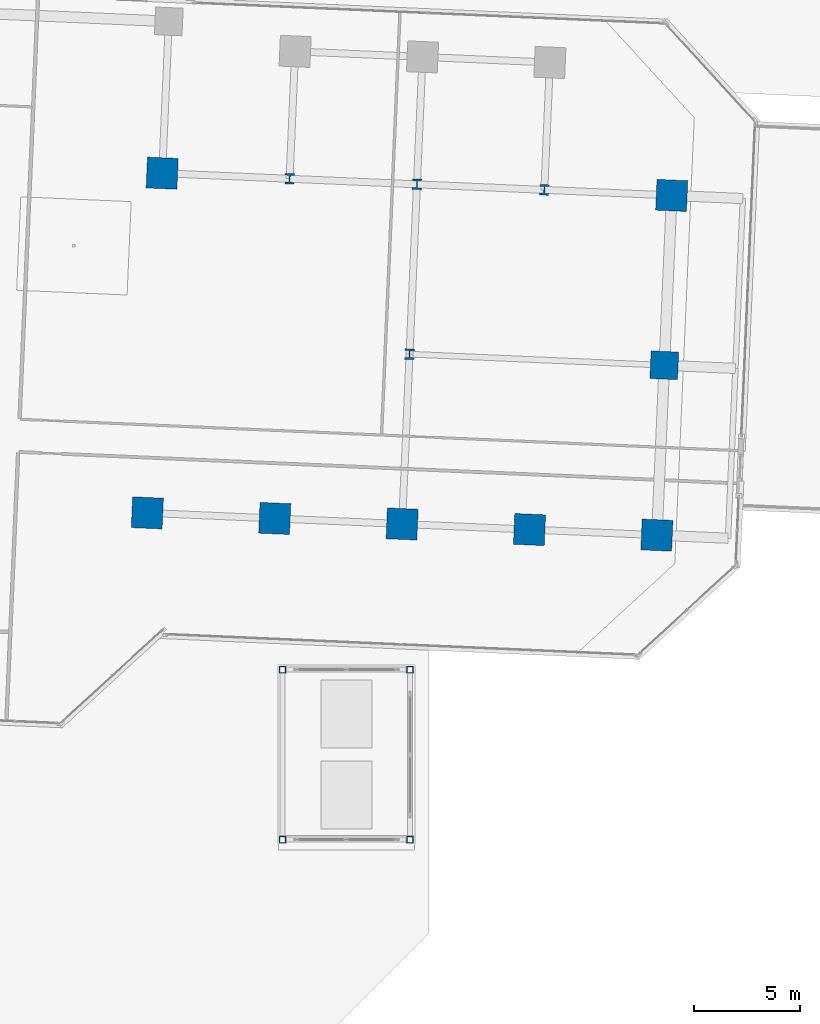
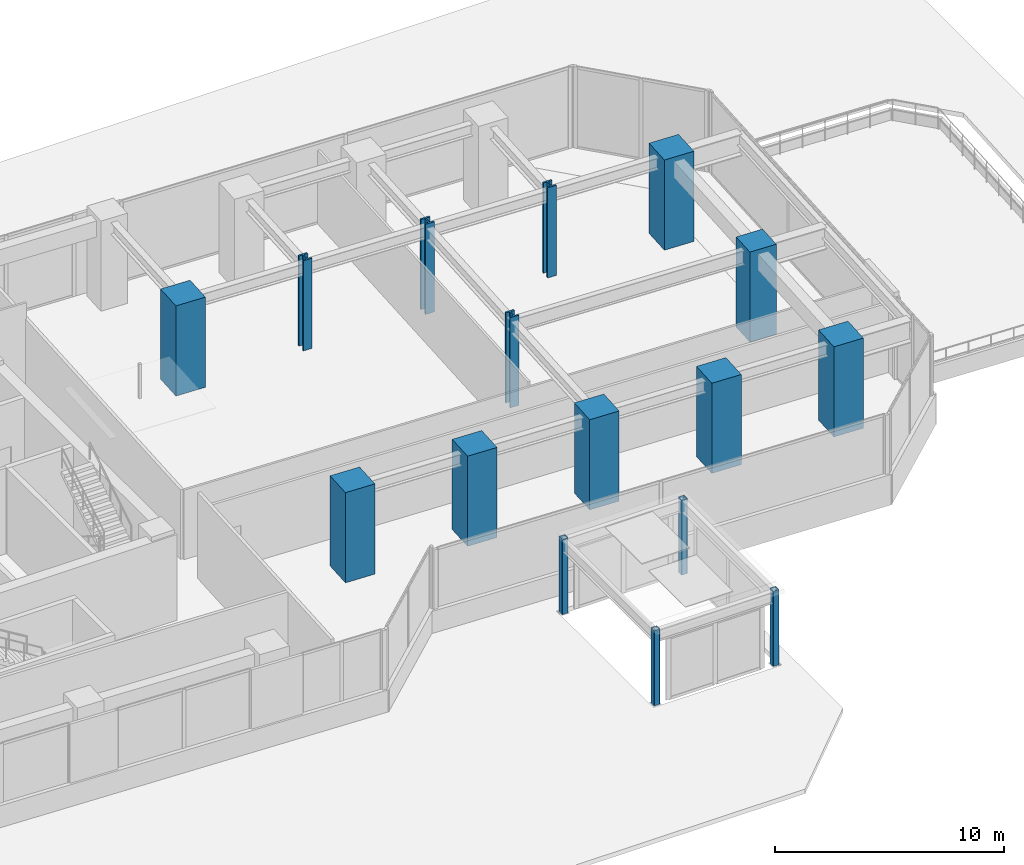
# One storey, part 2 of 33: 16 columns.
"""IFC4 building model written with IfcOpenShell, lengths in metres."""

from ifc_helpers import new_model, si_unit, direction, frame, origin, origin_2d, place, context, subcontext, project, spatial, rectangle, hollow_rectangle, i_section, extrude, source, transform, mapped, material, material_profile, profile_set, type_object, element, save


model = new_model("IFC4")

# Units and contexts
model_context = context("Model", 3, precision=1e-05, world=origin(), true_north=direction((0.0, 1.0)))
body_context = subcontext(model_context, "Body", "Model", "MODEL_VIEW")
ifc_project = project(units=[si_unit("LENGTHUNIT", "METRE"), si_unit("AREAUNIT", "SQUARE_METRE"), si_unit("VOLUMEUNIT", "CUBIC_METRE"), si_unit("PLANEANGLEUNIT", "RADIAN"), si_unit("MASSUNIT", "GRAM", prefix="KILO")], contexts=[model_context])

# Site, building, storey
site_placement = place(None, origin())
site = spatial("IfcSite", under=ifc_project, at=site_placement, CompositionType="ELEMENT")
building_placement = place(site_placement, origin())
building = spatial("IfcBuilding", under=site, at=building_placement, Name="Torre Montelarca", CompositionType="ELEMENT")
storey_placement = place(building_placement, frame((0.0, 0.0, 32.800048828125)))
storey = spatial("IfcBuildingStorey", under=building, at=storey_placement, Name="L07", CompositionType="ELEMENT", Elevation=32.800048828125)

# Columns
ifc_material_1 = material(Name="Concrete C70/85", Category="concrete")
ifc_material_profile_1 = material_profile(ifc_material_1, rectangle(XDim=1.449951171875, YDim=1.449951171875, at=origin_2d()), Name="RC1450X1450", Category="concrete")
ifc_profile_set_1 = profile_set([ifc_material_profile_1], Name="Concrete C70/85")
column_type_1 = type_object("IfcColumnType", Name="COL-RC1450-EXT", PredefinedType="COLUMN", material=ifc_profile_set_1)
shared_shape_1 = source(origin(), body_context, "Body", "SweptSolid", [
    extrude(rectangle(XDim=1.449951171875, YDim=1.449951171875, at=origin_2d()), origin(), (0.0, 0.0, 1.0), 4.798583984375),
])
for number, where, z_axis, x_axis, name in (
    (1, (59.614501953125, 22.328369140625, 0.000732421875), (0.0, 0.0, 1.0), (-0.999048221582, 0.043619387365, 0.0), "L07 Perimeter Mega Column 9/D"),
    (2, (60.312255859375, 38.31298828125, 0.000732421875), (0.0, 0.0, 1.0), (-0.999048221582, 0.043619387365, 0.0), "L07 Perimeter Mega Column 9/F"),
):
    element("IfcColumn", number, at=place(storey_placement, frame(where, z_axis=z_axis, x_axis=x_axis)), inside=storey, type_object=column_type_1, Name=name, PredefinedType="COLUMN", context=body_context, shape_type="MappedRepresentation", body=[
        mapped(shared_shape_1, transform((0.0, 0.0, 0.0), scale=1.0)),
    ])
ifc_material_profile_2 = material_profile(ifc_material_1, rectangle(XDim=1.449951171875, YDim=1.449951171875, at=origin_2d()), Name="RC1450X1450", Category="concrete")
ifc_profile_set_2 = profile_set([ifc_material_profile_2], Name="Concrete C70/85")
column_type_2 = type_object("IfcColumnType", Name="COL-RC1450", PredefinedType="COLUMN", material=ifc_profile_set_2)
shared_shape_2 = source(origin(), body_context, "Body", "SweptSolid", [
    extrude(rectangle(XDim=1.449951171875, YDim=1.449951171875, at=origin_2d()), origin(), (0.0, 0.0, 1.0), 4.798583984375),
])
for number, where, z_axis, x_axis, name in (
    (3, (35.63720703125, 23.375, 0.000732421875), (0.0, 0.0, 1.0), (-0.999048221582, 0.043619387365, 0.0), "L07 Column 5/D"),
    (4, (36.335205078125, 39.35986328125, 0.000732421875), (0.0, 0.0, 1.0), (-0.999048221582, 0.043619387365, 0.0), "L07 Column 5/F"),
    (5, (41.631591796875, 23.11328125, 0.000732421875), (0.0, 0.0, 1.0), (-0.999048221582, 0.043619387365, 0.0), "L07 Column 6/D"),
    (6, (47.625732421875, 22.851806640625, 0.000732421875), (0.0, 0.0, 1.0), (-0.999048221582, 0.043619387365, 0.0), "L07 Column 7/D"),
    (7, (53.6201171875, 22.590087890625, 0.000732421875), (0.0, 0.0, 1.0), (-0.999048221582, 0.043619387365, 0.0), "L07 Column 8/D"),
):
    element("IfcColumn", number, at=place(storey_placement, frame(where, z_axis=z_axis, x_axis=x_axis)), inside=storey, type_object=column_type_2, Name=name, PredefinedType="COLUMN", context=body_context, shape_type="MappedRepresentation", body=[
        mapped(shared_shape_2, transform((0.0, 0.0, 0.0), scale=1.0)),
    ])
ifc_material_profile_3 = material_profile(ifc_material_1, rectangle(XDim=1.300048828125, YDim=1.300048828125, at=origin_2d()), Name="RC1300X1300", Category="concrete")
ifc_profile_set_3 = profile_set([ifc_material_profile_3], Name="Concrete C70/85")
column_type_3 = type_object("IfcColumnType", Name="COL-RC1300-EXT", PredefinedType="COLUMN", material=ifc_profile_set_3)
shared_shape_3 = source(origin(), body_context, "Body", "SweptSolid", [
    extrude(rectangle(XDim=1.300048828125, YDim=1.300048828125, at=origin_2d()), origin(), (0.0, 0.0, 1.0), 4.798583984375),
])
column_placement = place(storey_placement, frame((59.96337890625, 30.32080078125, 0.000732421875), z_axis=(0.0, 0.0, 1.0), x_axis=(-0.999048221582, 0.043619387365, 0.0)))
element("IfcColumn", 8, at=column_placement, inside=storey, type_object=column_type_3, Name="L07 Column 9/E", PredefinedType="COLUMN", context=body_context, shape_type="MappedRepresentation", body=[
    mapped(shared_shape_3, transform((0.0, 0.0, 0.0), scale=1.0)),
])
ifc_material_2 = material(Name="Steel ASTM A992 Grade 50", Category="steel")
ifc_material_profile_4 = material_profile(ifc_material_2, i_section(OverallWidth=0.431884765625, OverallDepth=0.498046875, WebThickness=0.0556640625, FlangeThickness=0.0888671875, FilletRadius=0.014892578125, at=origin_2d()), Name="W360X744", Category="steel")
ifc_profile_set_4 = profile_set([ifc_material_profile_4], Name="Steel ASTM A992 Grade 50")
column_type_4 = type_object("IfcColumnType", Name="COL-W360X744", PredefinedType="COLUMN", material=ifc_profile_set_4)
shared_shape_4 = source(origin(), body_context, "Body", "SweptSolid", [
    extrude(i_section(OverallWidth=0.431884765625, OverallDepth=0.498046875, WebThickness=0.0556640625, FlangeThickness=0.0888671875, FilletRadius=0.014892578125, at=origin_2d()), origin(), (0.0, 0.0, 1.0), 4.798583984375),
])
for number, where, z_axis, x_axis, name in (
    (9, (42.329345703125, 39.09814453125, 0.000732421875), (0.0, 0.0, 1.0), (-0.999048221582, 0.043619387365, 0.0), "L07 Column 6/F"),
    (10, (47.974853515625, 30.843994140625, 0.000732421875), (0.0, 0.0, 1.0), (-0.999048221582, 0.043619387365, 0.0), "L07 Column 7/E"),
    (11, (48.32373046875, 38.83642578125, 0.000732421875), (0.0, 0.0, 1.0), (-0.999048221582, 0.043619387365, 0.0), "L07 Column 7/F"),
    (12, (54.318115234375, 38.57470703125, 0.000732421875), (0.0, 0.0, 1.0), (-0.999048221582, 0.043619387365, 0.0), "L07 Column 8/F"),
):
    element("IfcColumn", number, at=place(storey_placement, frame(where, z_axis=z_axis, x_axis=x_axis)), inside=storey, type_object=column_type_4, Name=name, PredefinedType="COLUMN", context=body_context, shape_type="MappedRepresentation", body=[
        mapped(shared_shape_4, transform((0.0, 0.0, 0.0), scale=1.0)),
    ])
ifc_material_3 = material(Name="Steel ASTM A500 Grade C", Category="steel")
ifc_material_profile_5 = material_profile(ifc_material_3, hollow_rectangle(XDim=0.3046875, YDim=0.3046875, WallThickness=0.015869140625, InnerFilletRadius=0.015869140625, OuterFilletRadius=0.03173828125, at=origin_2d()), Name="HSS305X305X15.9", Category="steel")
ifc_profile_set_5 = profile_set([ifc_material_profile_5], Name="Steel ASTM A500 Grade C")
column_type_5 = type_object("IfcColumnType", Name="COL-POST-HSS-EXT", PredefinedType="USERDEFINED", material=ifc_profile_set_5)
shared_shape_5 = source(origin(), body_context, "Body", "SweptSolid", [
    extrude(hollow_rectangle(XDim=0.3046875, YDim=0.3046875, WallThickness=0.015869140625, InnerFilletRadius=0.015869140625, OuterFilletRadius=0.03173828125, at=origin_2d()), origin(), (0.0, 0.0, 1.0), 3.999267578125),
])
for number, where, z_axis, x_axis, name in (
    (13, (42.0, 8.0, 0.000732421875), (0.0, 0.0, 1.0), (1.0, 0.0, 0.0), "L07 Exchange Atrium Lantern Post 1"),
    (14, (48.0, 8.0, 0.000732421875), (0.0, 0.0, 1.0), (1.0, 0.0, 0.0), "L07 Exchange Atrium Lantern Post 2"),
    (15, (48.0, 16.0, 0.000732421875), (0.0, 0.0, 1.0), (1.0, 0.0, 0.0), "L07 Exchange Atrium Lantern Post 3"),
    (16, (42.0, 16.0, 0.000732421875), (0.0, 0.0, 1.0), (1.0, 0.0, 0.0), "L07 Exchange Atrium Lantern Post 4"),
):
    element("IfcColumn", number, at=place(storey_placement, frame(where, z_axis=z_axis, x_axis=x_axis)), inside=storey, type_object=column_type_5, Name=name, ObjectType="POST", PredefinedType="USERDEFINED", context=body_context, shape_type="MappedRepresentation", body=[
        mapped(shared_shape_5, transform((0.0, 0.0, 0.0), scale=1.0)),
    ])

save(model, "model.ifc")
